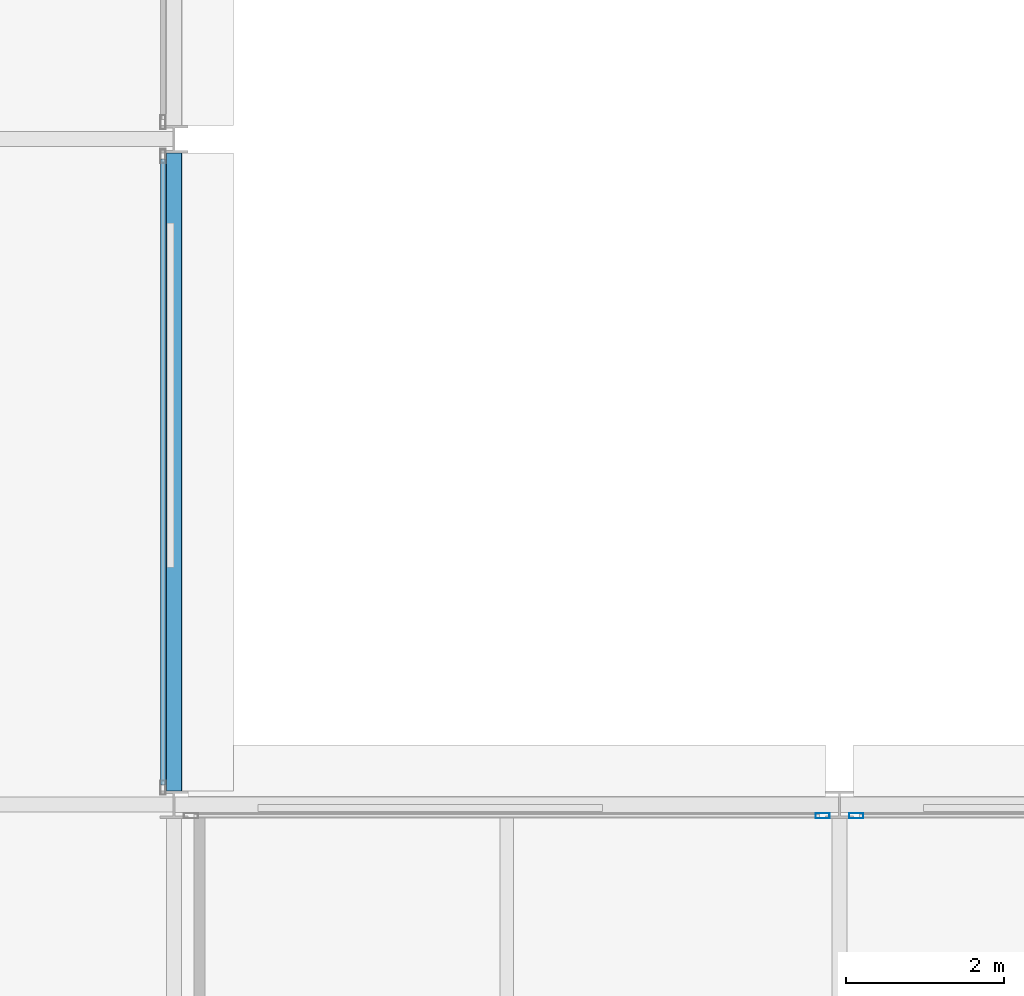
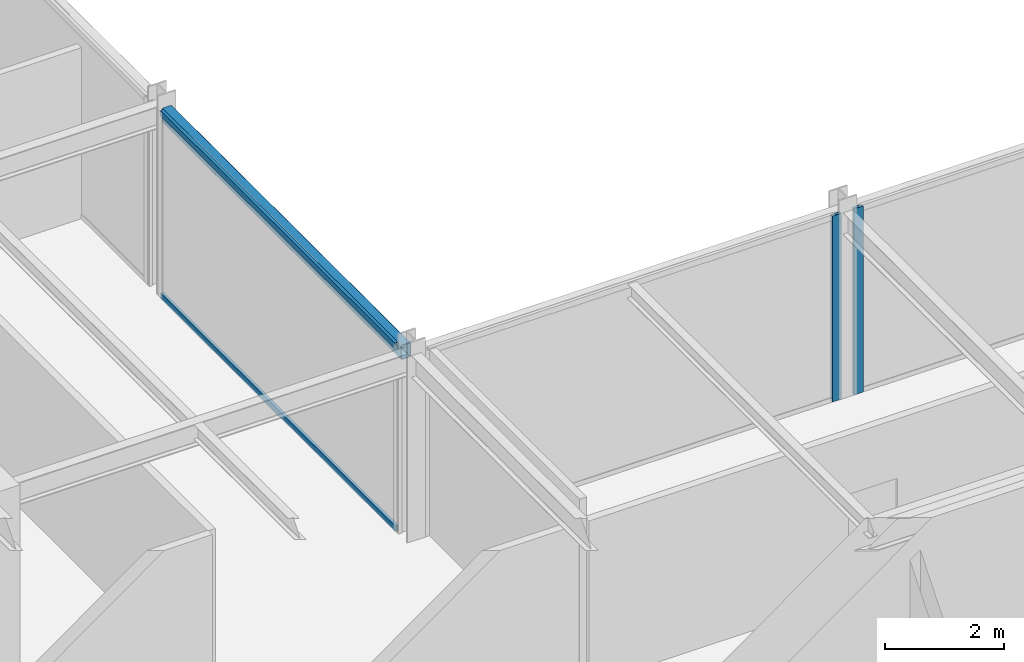
# One storey, part 15 of 29: 4 members, 1 beam, 3 elements without a shape of their own.
"""IFC4 building model written with IfcOpenShell, lengths in metres."""

import ifcopenshell
import ifcopenshell.guid

model = None  # the IFC model being written
_history = None  # IfcOwnerHistory: only IFC2X3 demands one
_inside = {}  # id of a spatial element -> (the spatial element, [elements in it])
_under = {}  # id of a project, library or spatial element -> (it, [spatial elements below it])
_declared = {}  # id of a project -> (the project, [libraries it declares])
_typed = {}  # id of a type object -> (the type object, [elements of that type])
_made_of = {}  # id of a material, layer set ... -> (it, [elements and type objects made of it])


def new_model(schema):
    """Start an empty IFC model of exactly this schema.

    Asked for "IFC4X3", IfcOpenShell would pick the latest addendum, in which some entities
    have other attributes; the version numbers below select the first issue.
    IFC2X3 requires an IfcOwnerHistory on every rooted entity: one is made here for all.
    """
    global model, _history
    if schema == "IFC4X3":
        model = ifcopenshell.file(schema_version=(4, 3, 0, 0))
    else:
        model = ifcopenshell.file(schema=schema)
    _inside.clear()
    _under.clear()
    _declared.clear()
    _typed.clear()
    _made_of.clear()
    _history = None
    if model.schema == "IFC2X3":
        org = make("IfcOrganization", Name="unknown")
        user = make(
            "IfcPersonAndOrganization",
            ThePerson=make("IfcPerson", FamilyName="unknown"),
            TheOrganization=org,
        )
        app = make(
            "IfcApplication",
            ApplicationDeveloper=org,
            Version="unknown",
            ApplicationFullName="unknown",
            ApplicationIdentifier="unknown",
        )
        _history = make(
            "IfcOwnerHistory",
            OwningUser=user,
            OwningApplication=app,
            ChangeAction="ADDED",
            CreationDate=0,
        )
    return model


def make(cls, **values):
    """One entity of the class cls with the attributes given. An attribute that is None is left unset."""
    return model.create_entity(
        cls, **{name: value for name, value in values.items() if value is not None}
    )


def rooted(cls, **values):
    """An entity with a GlobalId (a new one), such as an element, a storey or a relation."""
    return make(cls, GlobalId=ifcopenshell.guid.new(), OwnerHistory=_history, **values)


def si_unit(unit_type, name, prefix=None):
    """IfcSIUnit, for example si_unit("LENGTHUNIT", "METRE", prefix="MILLI")."""
    return make("IfcSIUnit", UnitType=unit_type, Prefix=prefix, Name=name)


def assignment(units):
    """IfcUnitAssignment: the units of a project."""
    return None if units is None else make("IfcUnitAssignment", Units=units)


def point(xyz):
    """IfcCartesianPoint."""
    return None if xyz is None else make("IfcCartesianPoint", Coordinates=xyz)


def direction(xyz):
    """IfcDirection."""
    return None if xyz is None else make("IfcDirection", DirectionRatios=xyz)


def frame(location, z_axis=None, x_axis=None):
    """IfcAxis2Placement3D, a coordinate frame: its origin and axes. An axis left out is left unset."""
    return make(
        "IfcAxis2Placement3D",
        Location=point(location),
        Axis=direction(z_axis),
        RefDirection=direction(x_axis),
    )


def frame_2d(location, x_axis=None):
    """IfcAxis2Placement2D, a coordinate frame in the plane: its origin and x axis."""
    return make(
        "IfcAxis2Placement2D", Location=point(location), RefDirection=direction(x_axis)
    )


def origin():
    """The frame at (0, 0, 0) with its axes left unset."""
    return frame((0.0, 0.0, 0.0))


def origin_2d():
    """The frame at (0, 0) in the plane with its x axis left unset."""
    return frame_2d((0.0, 0.0))


def place(relative_to, where):
    """IfcLocalPlacement: puts the frame where relative to a parent placement (None: the world)."""
    return make(
        "IfcLocalPlacement", PlacementRelTo=relative_to, RelativePlacement=where
    )


def context(
    kind, dimensions, precision=None, world=None, true_north=None, identifier=None
):
    """IfcGeometricRepresentationContext, for example the 3D "Model" context."""
    return make(
        "IfcGeometricRepresentationContext",
        ContextIdentifier=identifier,
        ContextType=kind,
        CoordinateSpaceDimension=dimensions,
        Precision=precision,
        WorldCoordinateSystem=world,
        TrueNorth=true_north,
    )


def subcontext(parent, identifier, kind, view, scale=None):
    """IfcGeometricRepresentationSubContext, for example "Body" below "Model"."""
    return make(
        "IfcGeometricRepresentationSubContext",
        ContextIdentifier=identifier,
        ContextType=kind,
        ParentContext=parent,
        TargetScale=scale,
        TargetView=view,
    )


def project(units=None, contexts=None):
    """IfcProject with its units and contexts."""
    return rooted(
        "IfcProject",
        Name="project",
        RepresentationContexts=contexts,
        UnitsInContext=assignment(units),
    )


def spatial(cls, under=None, at=None, **own):
    """A site, building, storey or space (cls), placed at a placement, below another one or the project."""
    s = rooted(cls, ObjectPlacement=at, **own)
    if under is not None:
        _under.setdefault(under.id(), (under, []))[1].append(s)
    return s


def profile(cls, at=None, kind="AREA", **sizes):
    """A parametric profile (cls). Its sizes go by their IFC names, for example OverallWidth=200.0."""
    return make(cls, ProfileType=kind, Position=at, **sizes)


def hollow_rectangle(**sizes):
    """IfcRectangleHollowProfileDef."""
    return profile("IfcRectangleHollowProfileDef", **sizes)


def extrude(swept, where, along, depth):
    """IfcExtrudedAreaSolid: the profile swept, set in the frame where, extruded along a direction by depth."""
    return make(
        "IfcExtrudedAreaSolid",
        SweptArea=swept,
        Position=where,
        ExtrudedDirection=direction(along),
        Depth=depth,
    )


def shape(context_of_items, identifier, shape_type, items):
    """IfcShapeRepresentation: the items that make up one representation, for example the "Body"."""
    return make(
        "IfcShapeRepresentation",
        ContextOfItems=context_of_items,
        RepresentationIdentifier=identifier,
        RepresentationType=shape_type,
        Items=items,
    )


def material(Name=None, Category=None):
    """IfcMaterial."""
    return make("IfcMaterial", Name=Name, Category=Category)


def layer(
    of_material, thickness, ventilated=None, Name=None, Category=None, Priority=None
):
    """IfcMaterialLayer: one layer of a wall or slab, of a material (None: an air gap)."""
    return make(
        "IfcMaterialLayer",
        Material=of_material,
        LayerThickness=thickness,
        IsVentilated=ventilated,
        Name=Name,
        Category=Category,
        Priority=Priority,
    )


def layer_set(layers, Name=None):
    """IfcMaterialLayerSet."""
    return make("IfcMaterialLayerSet", MaterialLayers=layers, LayerSetName=Name)


def material_profile(
    of_material, cross_section, Name=None, Category=None, Priority=None
):
    """IfcMaterialProfile: a cross section and its material."""
    return make(
        "IfcMaterialProfile",
        Name=Name,
        Material=of_material,
        Profile=cross_section,
        Priority=Priority,
        Category=Category,
    )


def profile_set(profiles, Name=None, composite=None):
    """IfcMaterialProfileSet."""
    return make(
        "IfcMaterialProfileSet",
        Name=Name,
        MaterialProfiles=profiles,
        CompositeProfile=composite,
    )


def made_of(thing, what):
    """Note that an element or type object is made of a material, layer set ...; save() writes the relation."""
    if what is not None:
        _made_of.setdefault(what.id(), (what, []))[1].append(thing)
    return thing


def type_object(cls, material=None, **own):
    """A type object (cls), such as IfcWallType, which elements share."""
    return made_of(rooted(cls, **own), material)


def element(
    cls,
    number,
    at=None,
    inside=None,
    cuts=None,
    type_object=None,
    material=None,
    context=None,
    identifier="Body",
    shape_type=None,
    held_by="IfcProductDefinitionShape",
    body=None,
    shapes=None,
    **own,
):
    """One element of the class cls, such as IfcWall. Its Tag is "e" and its number.

    at: its placement. inside: the storey or other place that contains it. cuts: it is an
    opening in that element (IfcRelVoidsElement). A single representation is given by context,
    identifier, shape_type and body (its items); several are given by shapes. held_by: the class
    of the entity that holds the representations. save() writes the other relations.
    """
    e = rooted(cls, Tag="e%d" % number, ObjectPlacement=at, **own)
    if body is not None:
        shapes = [shape(context, identifier, shape_type, body)]
    if shapes is not None:
        e.Representation = make(held_by, Representations=shapes)
    if inside is not None:
        _inside.setdefault(inside.id(), (inside, []))[1].append(e)
    if cuts is not None:
        rooted(
            "IfcRelVoidsElement", RelatingBuildingElement=cuts, RelatedOpeningElement=e
        )
    if type_object is not None:
        _typed.setdefault(type_object.id(), (type_object, []))[1].append(e)
    return made_of(e, material)


def aggregate(whole, parts):
    """IfcRelAggregates: a whole, such as a stair, and the parts it consists of."""
    return rooted("IfcRelAggregates", RelatingObject=whole, RelatedObjects=parts)


def save(model, path):
    """Write the relations noted so far, then the file.

    IfcRelAggregates (storeys below a building ...), IfcRelContainedInSpatialStructure (elements
    in a storey), IfcRelDefinesByType, IfcRelAssociatesMaterial and IfcRelDeclares: one each for
    every whole, place, type object, material and project.
    """
    for whole, parts in _under.values():
        aggregate(whole, parts)
    for where, things in _inside.values():
        rooted(
            "IfcRelContainedInSpatialStructure",
            RelatedElements=things,
            RelatingStructure=where,
        )
    for kind, things in _typed.values():
        rooted("IfcRelDefinesByType", RelatedObjects=things, RelatingType=kind)
    for what, things in _made_of.values():
        rooted("IfcRelAssociatesMaterial", RelatedObjects=things, RelatingMaterial=what)
    for by, libraries in _declared.values():
        rooted("IfcRelDeclares", RelatingContext=by, RelatedDefinitions=libraries)
    model.write(path)


model = new_model("IFC4")

# Units and contexts
model_context = context("Model", 3, precision=1e-05, world=origin(), true_north=direction((0.0, 1.0)))
body_context = subcontext(model_context, "Body", "Model", "MODEL_VIEW")
ifc_project = project(units=[si_unit("LENGTHUNIT", "METRE"), si_unit("AREAUNIT", "SQUARE_METRE"), si_unit("VOLUMEUNIT", "CUBIC_METRE"), si_unit("PLANEANGLEUNIT", "RADIAN"), si_unit("MASSUNIT", "GRAM", prefix="KILO")], contexts=[model_context])

# Site, building, storey
site_placement = place(None, origin())
site = spatial("IfcSite", under=ifc_project, at=site_placement, CompositionType="ELEMENT")
building_placement = place(site_placement, origin())
building = spatial("IfcBuilding", under=site, at=building_placement, Name="Nerrivon Quay Data Exchange", CompositionType="ELEMENT")
storey_placement = place(building_placement, frame((0.0, 0.0, 204.199951171875)))
storey = spatial("IfcBuildingStorey", under=building, at=storey_placement, Name="L48", CompositionType="ELEMENT", Elevation=204.199951171875)

# Beam
ifc_material_1 = material(Name="Steel Grade C350L0 (350 MPa)", Category="steel")
ifc_material_profile_1 = material_profile(ifc_material_1, hollow_rectangle(XDim=0.199951171875, YDim=0.300048828125, WallThickness=0.012451171875, InnerFilletRadius=0.018798828125, OuterFilletRadius=0.03125, at=origin_2d()), Name="300x200x12.5RHS")
ifc_profile_set_1 = profile_set([ifc_material_profile_1], Name="Steel Grade C350L0 (350 MPa)")
beam_type = type_object("IfcBeamType", Name="BM-SP3-300x200RHS", PredefinedType="SPANDREL", material=ifc_profile_set_1)
beam_placement = place(storey_placement, frame((25.199951171875, 25.375, 3.675048828125), z_axis=(0.0, 1.0, 0.0), x_axis=(-1.0, 0.0, 0.0)))
element("IfcBeam", 1, at=beam_placement, inside=storey, type_object=beam_type, Name="L48 NS Girder X=25.2 (25.2..33.6)", PredefinedType="SPANDREL", context=body_context, shape_type="SweptSolid", body=[
    extrude(hollow_rectangle(XDim=0.199951171875, YDim=0.300048828125, WallThickness=0.012451171875, InnerFilletRadius=0.018798828125, OuterFilletRadius=0.03125, at=origin_2d()), origin(), (0.0, 0.0, 1.0), 8.050048828125),
])

# Curtain wall, member
ifc_material_2 = material(Name="Anodised aluminium 6063-T6", Category="aluminium")
ifc_layer = layer(ifc_material_2, 0.195068359375)
ifc_layer_set = layer_set([ifc_layer], Name="Anodised aluminium 6063-T6")
curtain_wall_type = type_object("IfcCurtainWallType", Name="CW-SYS-06", PredefinedType="NOTDEFINED", material=ifc_layer_set)
curtain_wall_1_placement = place(storey_placement, origin())
curtain_wall_1 = element("IfcCurtainWall", 2, at=curtain_wall_1_placement, inside=storey, type_object=curtain_wall_type, Name="L48 Unitised Curtain Wall 16", PredefinedType="NOTDEFINED")
ifc_material_profile_2 = material_profile(ifc_material_2, hollow_rectangle(XDim=0.06494140625, YDim=0.179931640625, WallThickness=0.00341796875, at=origin_2d()), Name="ALU-MULL-180x65")
ifc_profile_set_2 = profile_set([ifc_material_profile_2], Name="Anodised aluminium 6063-T6")
member_type_1 = type_object("IfcMemberType", Name="CWM-180x65", PredefinedType="MULLION", material=ifc_profile_set_2)
member_1_placement = place(storey_placement, frame((33.387451171875, 25.06005859375, 0.0), z_axis=(0.0, 0.0, 1.0), x_axis=(0.0, 1.0, 0.0)))
member_1 = element("IfcMember", 3, at=member_1_placement, type_object=member_type_1, Name="CW06 mullion 2", PredefinedType="MULLION", context=body_context, shape_type="SweptSolid", body=[
    extrude(hollow_rectangle(XDim=0.06494140625, YDim=0.179931640625, WallThickness=0.00341796875, at=origin_2d()), origin(), (0.0, 0.0, 1.0), 3.824951171875),
])
aggregate(curtain_wall_1, [member_1])

curtain_wall_2_placement = place(storey_placement, origin())
curtain_wall_2 = element("IfcCurtainWall", 4, at=curtain_wall_2_placement, inside=storey, type_object=curtain_wall_type, Name="L48 Unitised Curtain Wall 17", PredefinedType="NOTDEFINED")
member_2_placement = place(storey_placement, frame((33.8125, 25.06005859375, 0.0), z_axis=(0.0, 0.0, 1.0), x_axis=(0.0, 1.0, 0.0)))
member_2 = element("IfcMember", 5, at=member_2_placement, type_object=member_type_1, Name="CW06 mullion 1", PredefinedType="MULLION", context=body_context, shape_type="SweptSolid", body=[
    extrude(hollow_rectangle(XDim=0.06494140625, YDim=0.179931640625, WallThickness=0.00341796875, at=origin_2d()), origin(), (0.0, 0.0, 1.0), 3.824951171875),
])
aggregate(curtain_wall_2, [member_2])

# Curtain wall, members
curtain_wall_3_placement = place(storey_placement, origin())
curtain_wall_3 = element("IfcCurtainWall", 6, at=curtain_wall_3_placement, inside=storey, type_object=curtain_wall_type, Name="L48 Unitised Curtain Wall 15", PredefinedType="NOTDEFINED")
ifc_material_profile_3 = material_profile(ifc_material_2, hollow_rectangle(XDim=0.06005859375, YDim=0.1201171875, WallThickness=0.003173828125, at=origin_2d()), Name="ALU-TRAN-120x60")
ifc_profile_set_3 = profile_set([ifc_material_profile_3], Name="Anodised aluminium 6063-T6")
member_type_2 = type_object("IfcMemberType", Name="CWT-120x60", PredefinedType="USERDEFINED", material=ifc_profile_set_3)
member_3_placement = place(storey_placement, frame((25.06005859375, 33.35009765625, 0.032470703125), z_axis=(0.0, -1.0, 0.0), x_axis=(1.0, 0.0, 0.0)))
member_3 = element("IfcMember", 7, at=member_3_placement, type_object=member_type_2, Name="CW06 transom 1.1", ObjectType="TRANSOM", PredefinedType="USERDEFINED", context=body_context, shape_type="SweptSolid", body=[
    extrude(hollow_rectangle(XDim=0.06005859375, YDim=0.1201171875, WallThickness=0.003173828125, at=origin_2d()), origin(), (0.0, 0.0, 1.0), 7.900146484375),
])
member_4_placement = place(storey_placement, frame((25.06005859375, 33.35009765625, 3.79248046875), z_axis=(0.0, -1.0, 0.0), x_axis=(1.0, 0.0, 0.0)))
member_4 = element("IfcMember", 8, at=member_4_placement, type_object=member_type_2, Name="CW06 transom 1.2", ObjectType="TRANSOM", PredefinedType="USERDEFINED", context=body_context, shape_type="SweptSolid", body=[
    extrude(hollow_rectangle(XDim=0.06005859375, YDim=0.1201171875, WallThickness=0.003173828125, at=origin_2d()), origin(), (0.0, 0.0, 1.0), 7.900146484375),
])
aggregate(curtain_wall_3, [member_3, member_4])

save(model, "model.ifc")
